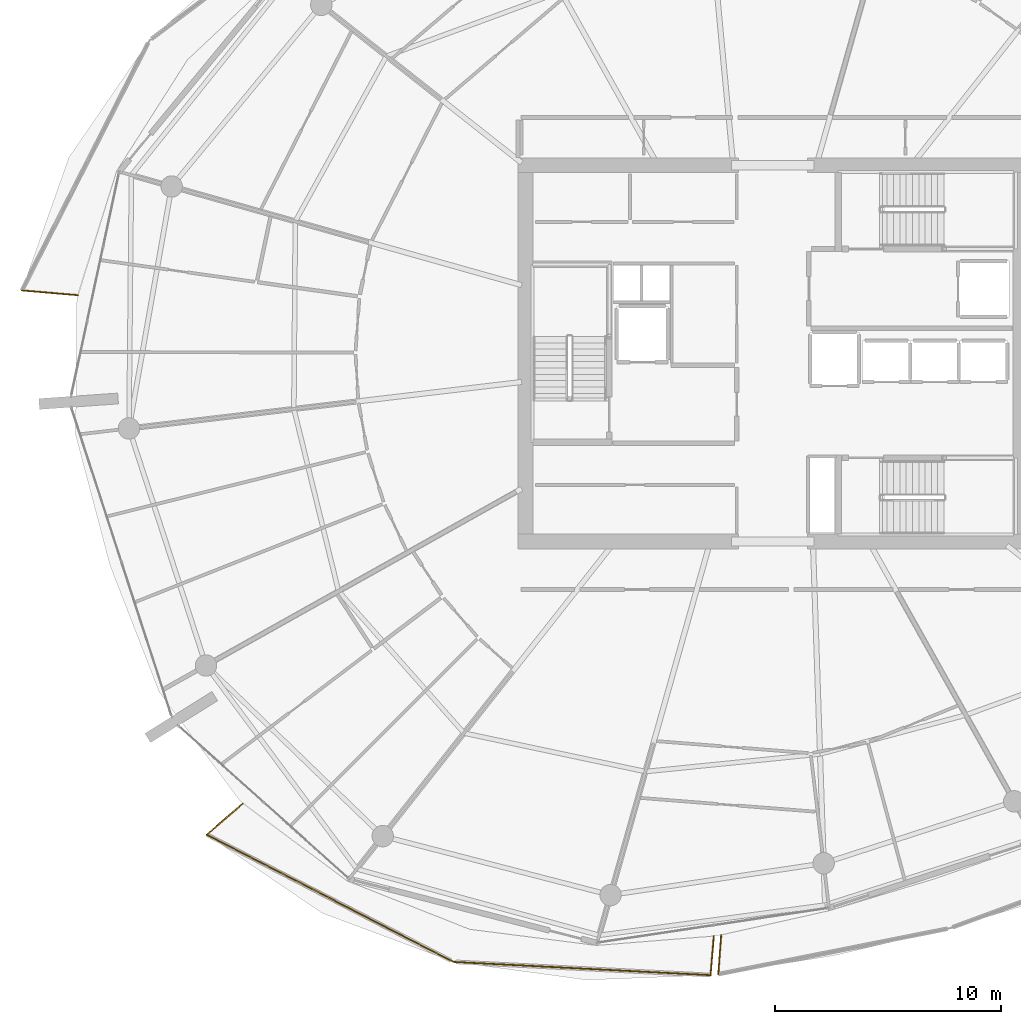
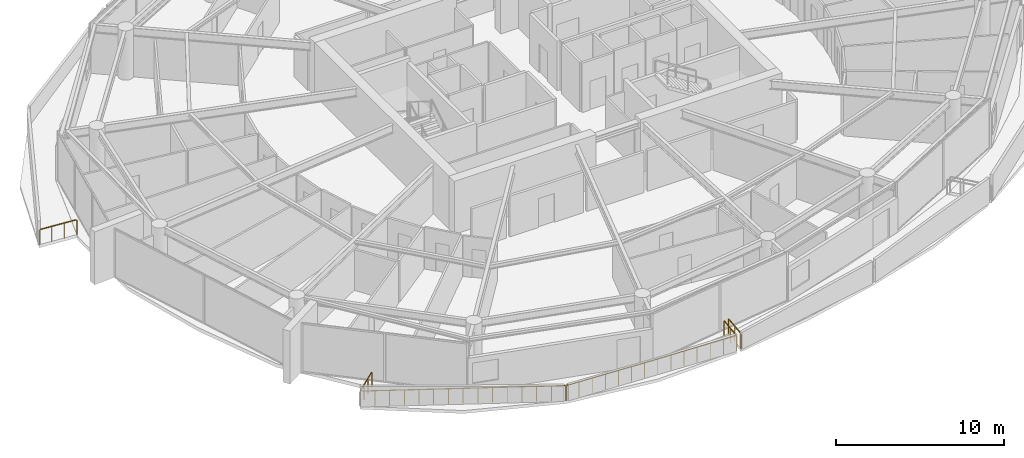
# One storey, part 24 of 30: 6 railings.
"""IFC4 building model written with IfcOpenShell, lengths in metres."""

from ifc_helpers import new_model, si_unit, direction, frame, origin, origin_2d, place, context, subcontext, project, spatial, rectangle, extrude, material, type_object, element, save


model = new_model("IFC4")

# Units and contexts
model_context = context("Model", 3, precision=1e-05, world=origin(), true_north=direction((0.0, 1.0)))
body_context = subcontext(model_context, "Body", "Model", "MODEL_VIEW")
ifc_project = project(units=[si_unit("LENGTHUNIT", "METRE"), si_unit("AREAUNIT", "SQUARE_METRE"), si_unit("VOLUMEUNIT", "CUBIC_METRE"), si_unit("PLANEANGLEUNIT", "RADIAN"), si_unit("MASSUNIT", "GRAM", prefix="KILO")], contexts=[model_context])

# Site, building, storey
site_placement = place(None, origin())
site = spatial("IfcSite", under=ifc_project, at=site_placement, CompositionType="ELEMENT")
building_placement = place(site_placement, origin())
building = spatial("IfcBuilding", under=site, at=building_placement, Name="Kazma Halo Residences", CompositionType="ELEMENT")
storey_placement = place(building_placement, frame((0.0, 0.0, 255.949951171875)))
storey = spatial("IfcBuildingStorey", under=building, at=storey_placement, Name="L64", CompositionType="ELEMENT", Elevation=255.949951171875)

# Railings
ifc_material = material(Name="Aluminium AW-6063 T6 Brushed Cap Rail", Category="aluminium")
railing_type = type_object("IfcRailingType", Name="RLG-BAL-CAP-1120", PredefinedType="BALUSTRADE", material=ifc_material)
railing_1_placement = place(storey_placement, frame((15.177001953125, 44.78515625, 0.0)))
element("IfcRailing", 1, at=railing_1_placement, inside=storey, type_object=railing_type, Name="L64 NW wave balcony guard 4", PredefinedType="BALUSTRADE", context=body_context, shape_type="SweptSolid", body=[
    extrude(rectangle(XDim=0.050048828125, YDim=0.050048828125, at=origin_2d()), frame((0.04248046875, -0.003662109375, 1.09521484375), z_axis=(0.996414964781, -0.084600342552, 0.0), x_axis=(0.084600342552, 0.996414964781, 0.0)), (0.0, 0.0, 1.0), 2.396728515625),
    extrude(rectangle(XDim=0.0400390625, YDim=0.0400390625, at=origin_2d()), origin(), (0.0, 0.0, 1.0), 1.05810546875),
    extrude(rectangle(XDim=0.0400390625, YDim=0.0400390625, at=origin_2d()), frame((0.82421875, -0.070068359375, 0.0)), (0.0, 0.0, 1.0), 1.05810546875),
    extrude(rectangle(XDim=0.0400390625, YDim=0.0400390625, at=origin_2d()), frame((1.648681640625, -0.139892578125, 0.0)), (0.0, 0.0, 1.0), 1.05810546875),
    extrude(rectangle(XDim=0.0400390625, YDim=0.0400390625, at=origin_2d()), frame((2.472900390625, -0.2099609375, 0.0)), (0.0, 0.0, 1.0), 1.05810546875),
])
railing_2_placement = place(storey_placement, frame((24.9599609375, 22.0771484375, 0.0)))
element("IfcRailing", 2, at=railing_2_placement, inside=storey, type_object=railing_type, Name="L64 SW wave balcony guard 1", PredefinedType="BALUSTRADE", context=body_context, shape_type="SweptSolid", body=[
    extrude(rectangle(XDim=0.050048828125, YDim=0.050048828125, at=origin_2d()), frame((-0.0322265625, -0.02783203125, 1.09521484375), z_axis=(-0.756474494399, -0.654023194791, 0.0), x_axis=(0.654023194791, -0.756474494399, 0.0)), (0.0, 0.0, 1.0), 2.0263671875),
    extrude(rectangle(XDim=0.0400390625, YDim=0.0400390625, at=origin_2d()), origin(), (0.0, 0.0, 1.0), 1.05810546875),
    extrude(rectangle(XDim=0.0400390625, YDim=0.0400390625, at=origin_2d()), frame((-0.532470703125, -0.460205078125, 0.0)), (0.0, 0.0, 1.0), 1.05810546875),
    extrude(rectangle(XDim=0.0400390625, YDim=0.0400390625, at=origin_2d()), frame((-1.064697265625, -0.920654296875, 0.0)), (0.0, 0.0, 1.0), 1.05810546875),
    extrude(rectangle(XDim=0.0400390625, YDim=0.0400390625, at=origin_2d()), frame((-1.59716796875, -1.380859375, 0.0)), (0.0, 0.0, 1.0), 1.05810546875),
])
railing_3_placement = place(storey_placement, frame((23.36279296875, 20.6962890625, 0.0)))
element("IfcRailing", 3, at=railing_3_placement, inside=storey, type_object=railing_type, Name="L64 SW wave balcony guard 2", PredefinedType="BALUSTRADE", context=body_context, shape_type="SweptSolid", body=[
    extrude(rectangle(XDim=0.050048828125, YDim=0.050048828125, at=origin_2d()), frame((0.037841796875, -0.01953125, 1.09521484375), z_axis=(0.888587460341, -0.458707232693, 0.0), x_axis=(0.458707232693, 0.888587460341, 0.0)), (0.0, 0.0, 1.0), 12.1953125),
    extrude(rectangle(XDim=0.0400390625, YDim=0.0400390625, at=origin_2d()), origin(), (0.0, 0.0, 1.0), 1.05810546875),
    extrude(rectangle(XDim=0.0400390625, YDim=0.0400390625, at=origin_2d()), frame((0.779541015625, -0.40234375, 0.0)), (0.0, 0.0, 1.0), 1.05810546875),
    extrude(rectangle(XDim=0.0400390625, YDim=0.0400390625, at=origin_2d()), frame((1.558837890625, -0.8046875, 0.0)), (0.0, 0.0, 1.0), 1.05810546875),
    extrude(rectangle(XDim=0.0400390625, YDim=0.0400390625, at=origin_2d()), frame((2.33837890625, -1.20703125, 0.0)), (0.0, 0.0, 1.0), 1.05810546875),
    extrude(rectangle(XDim=0.0400390625, YDim=0.0400390625, at=origin_2d()), frame((3.11767578125, -1.609375, 0.0)), (0.0, 0.0, 1.0), 1.05810546875),
    extrude(rectangle(XDim=0.0400390625, YDim=0.0400390625, at=origin_2d()), frame((3.897216796875, -2.01171875, 0.0)), (0.0, 0.0, 1.0), 1.05810546875),
    extrude(rectangle(XDim=0.0400390625, YDim=0.0400390625, at=origin_2d()), frame((4.676513671875, -2.4140625, 0.0)), (0.0, 0.0, 1.0), 1.05810546875),
    extrude(rectangle(XDim=0.0400390625, YDim=0.0400390625, at=origin_2d()), frame((5.4560546875, -2.81640625, 0.0)), (0.0, 0.0, 1.0), 1.05810546875),
    extrude(rectangle(XDim=0.0400390625, YDim=0.0400390625, at=origin_2d()), frame((6.235595703125, -3.218994140625, 0.0)), (0.0, 0.0, 1.0), 1.05810546875),
    extrude(rectangle(XDim=0.0400390625, YDim=0.0400390625, at=origin_2d()), frame((7.014892578125, -3.621337890625, 0.0)), (0.0, 0.0, 1.0), 1.05810546875),
    extrude(rectangle(XDim=0.0400390625, YDim=0.0400390625, at=origin_2d()), frame((7.79443359375, -4.023681640625, 0.0)), (0.0, 0.0, 1.0), 1.05810546875),
    extrude(rectangle(XDim=0.0400390625, YDim=0.0400390625, at=origin_2d()), frame((8.57373046875, -4.426025390625, 0.0)), (0.0, 0.0, 1.0), 1.05810546875),
    extrude(rectangle(XDim=0.0400390625, YDim=0.0400390625, at=origin_2d()), frame((9.353271484375, -4.828369140625, 0.0)), (0.0, 0.0, 1.0), 1.05810546875),
    extrude(rectangle(XDim=0.0400390625, YDim=0.0400390625, at=origin_2d()), frame((10.132568359375, -5.230712890625, 0.0)), (0.0, 0.0, 1.0), 1.05810546875),
    extrude(rectangle(XDim=0.0400390625, YDim=0.0400390625, at=origin_2d()), frame((10.912109375, -5.633056640625, 0.0)), (0.0, 0.0, 1.0), 1.05810546875),
])
railing_4_placement = place(storey_placement, frame((34.27490234375, 15.063232421875, 0.0)))
element("IfcRailing", 4, at=railing_4_placement, inside=storey, type_object=railing_type, Name="L64 SW wave balcony guard 3", PredefinedType="BALUSTRADE", context=body_context, shape_type="SweptSolid", body=[
    extrude(rectangle(XDim=0.050048828125, YDim=0.050048828125, at=origin_2d()), frame((0.04248046875, -0.002197265625, 1.09521484375), z_axis=(0.998674943088, -0.051462200188, 0.0), x_axis=(0.051462200188, 0.998674943088, 0.0)), (0.0, 0.0, 1.0), 11.319580078125),
    extrude(rectangle(XDim=0.0400390625, YDim=0.0400390625, at=origin_2d()), origin(), (0.0, 0.0, 1.0), 1.05810546875),
    extrude(rectangle(XDim=0.0400390625, YDim=0.0400390625, at=origin_2d()), frame((0.876220703125, -0.045166015625, 0.0)), (0.0, 0.0, 1.0), 1.05810546875),
    extrude(rectangle(XDim=0.0400390625, YDim=0.0400390625, at=origin_2d()), frame((1.752197265625, -0.09033203125, 0.0)), (0.0, 0.0, 1.0), 1.05810546875),
    extrude(rectangle(XDim=0.0400390625, YDim=0.0400390625, at=origin_2d()), frame((2.62841796875, -0.135498046875, 0.0)), (0.0, 0.0, 1.0), 1.05810546875),
    extrude(rectangle(XDim=0.0400390625, YDim=0.0400390625, at=origin_2d()), frame((3.50439453125, -0.1806640625, 0.0)), (0.0, 0.0, 1.0), 1.05810546875),
    extrude(rectangle(XDim=0.0400390625, YDim=0.0400390625, at=origin_2d()), frame((4.380615234375, -0.225830078125, 0.0)), (0.0, 0.0, 1.0), 1.05810546875),
    extrude(rectangle(XDim=0.0400390625, YDim=0.0400390625, at=origin_2d()), frame((5.2568359375, -0.27099609375, 0.0)), (0.0, 0.0, 1.0), 1.05810546875),
    extrude(rectangle(XDim=0.0400390625, YDim=0.0400390625, at=origin_2d()), frame((6.1328125, -0.31591796875, 0.0)), (0.0, 0.0, 1.0), 1.05810546875),
    extrude(rectangle(XDim=0.0400390625, YDim=0.0400390625, at=origin_2d()), frame((7.009033203125, -0.361083984375, 0.0)), (0.0, 0.0, 1.0), 1.05810546875),
    extrude(rectangle(XDim=0.0400390625, YDim=0.0400390625, at=origin_2d()), frame((7.88525390625, -0.40625, 0.0)), (0.0, 0.0, 1.0), 1.05810546875),
    extrude(rectangle(XDim=0.0400390625, YDim=0.0400390625, at=origin_2d()), frame((8.76123046875, -0.451416015625, 0.0)), (0.0, 0.0, 1.0), 1.05810546875),
    extrude(rectangle(XDim=0.0400390625, YDim=0.0400390625, at=origin_2d()), frame((9.637451171875, -0.49658203125, 0.0)), (0.0, 0.0, 1.0), 1.05810546875),
    extrude(rectangle(XDim=0.0400390625, YDim=0.0400390625, at=origin_2d()), frame((10.513427734375, -0.541748046875, 0.0)), (0.0, 0.0, 1.0), 1.05810546875),
    extrude(rectangle(XDim=0.0400390625, YDim=0.0400390625, at=origin_2d()), frame((11.3896484375, -0.5869140625, 0.0)), (0.0, 0.0, 1.0), 1.05810546875),
])
railing_5_placement = place(storey_placement, frame((45.66455078125, 14.476318359375, 0.0)))
element("IfcRailing", 5, at=railing_5_placement, inside=storey, type_object=railing_type, Name="L64 SW wave balcony guard 4", PredefinedType="BALUSTRADE", context=body_context, shape_type="SweptSolid", body=[
    extrude(rectangle(XDim=0.050048828125, YDim=0.050048828125, at=origin_2d()), frame((0.003662109375, 0.04248046875, 1.09521484375), z_axis=(0.084535390585, 0.996420477378, 0.0), x_axis=(-0.996420477378, 0.084535390585, 0.0)), (0.0, 0.0, 1.0), 1.650634765625),
    extrude(rectangle(XDim=0.0400390625, YDim=0.0400390625, at=origin_2d()), origin(), (0.0, 0.0, 1.0), 1.05810546875),
    extrude(rectangle(XDim=0.0400390625, YDim=0.0400390625, at=origin_2d()), frame((0.0732421875, 0.86474609375, 0.0)), (0.0, 0.0, 1.0), 1.05810546875),
    extrude(rectangle(XDim=0.0400390625, YDim=0.0400390625, at=origin_2d()), frame((0.146728515625, 1.7294921875, 0.0)), (0.0, 0.0, 1.0), 1.05810546875),
])
railing_6_placement = place(storey_placement, frame((46.1318359375, 16.25390625, 0.0)))
element("IfcRailing", 6, at=railing_6_placement, inside=storey, type_object=railing_type, Name="L64 SSE wave balcony guard 1", PredefinedType="BALUSTRADE", context=body_context, shape_type="SweptSolid", body=[
    extrude(rectangle(XDim=0.050048828125, YDim=0.050048828125, at=origin_2d()), frame((-0.003173828125, -0.04248046875, 1.09521484375), z_axis=(-0.072350928263, -0.997379237391, 0.0), x_axis=(0.997379237391, -0.072350928263, 0.0)), (0.0, 0.0, 1.0), 1.659423828125),
    extrude(rectangle(XDim=0.0400390625, YDim=0.0400390625, at=origin_2d()), origin(), (0.0, 0.0, 1.0), 1.05810546875),
    extrude(rectangle(XDim=0.0400390625, YDim=0.0400390625, at=origin_2d()), frame((-0.06298828125, -0.8701171875, 0.0)), (0.0, 0.0, 1.0), 1.05810546875),
    extrude(rectangle(XDim=0.0400390625, YDim=0.0400390625, at=origin_2d()), frame((-0.126220703125, -1.739990234375, 0.0)), (0.0, 0.0, 1.0), 1.05810546875),
])

save(model, "model.ifc")
